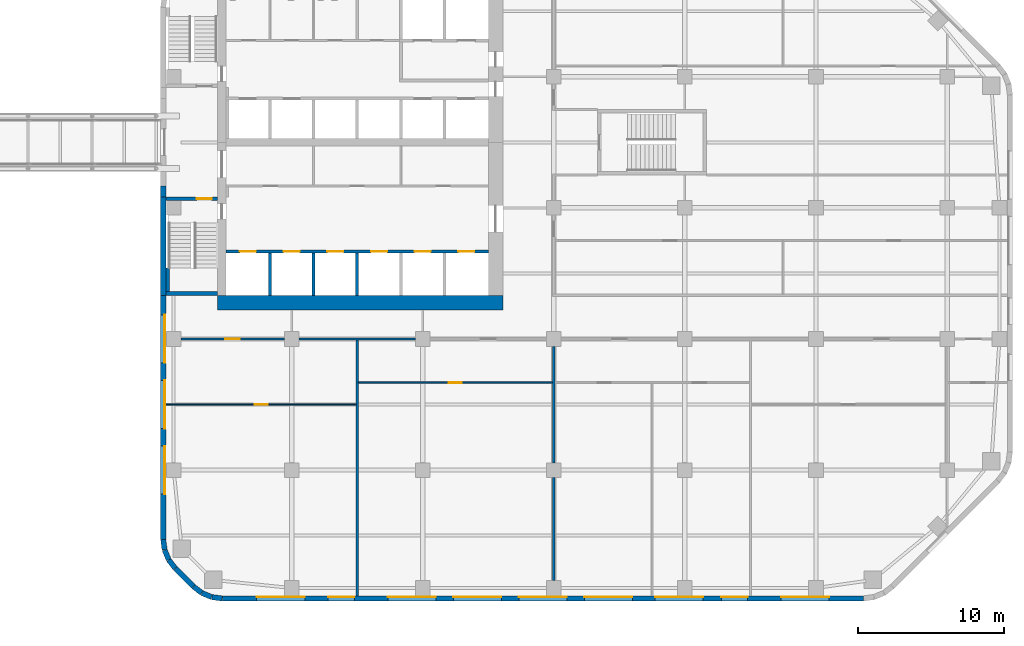
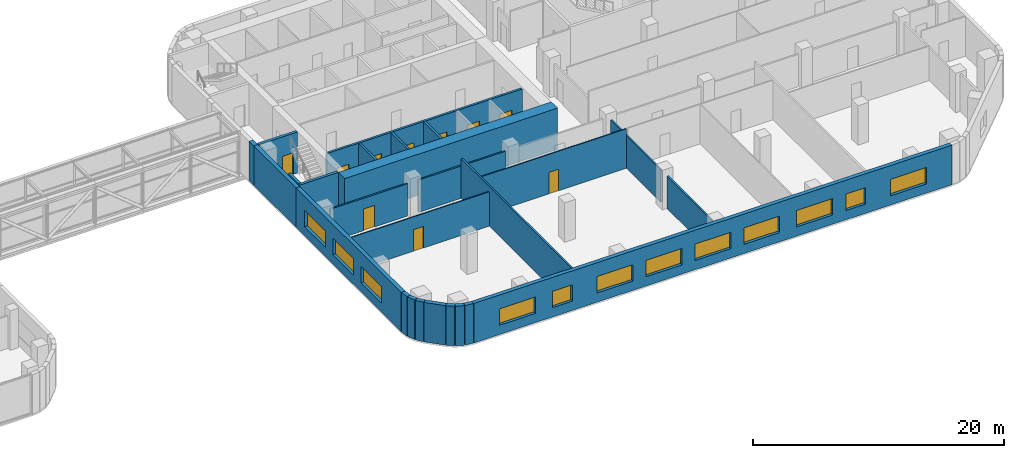
# One storey, part 17 of 24: 26 walls, 12 windows, 10 doors, 22 openings.
"""IFC4 building model written with IfcOpenShell, lengths in metres."""

from ifc_helpers import new_model, si_unit, direction, frame, frame_2d, origin, place, context, subcontext, project, spatial, rectangle, extrude, material, layer, layer_set, type_object, element, fill, save


model = new_model("IFC4")

# Units and contexts
model_context = context("Model", 3, precision=1e-05, world=origin(), true_north=direction((0.0, 1.0)))
body_context = subcontext(model_context, "Body", "Model", "MODEL_VIEW")
ifc_project = project(units=[si_unit("LENGTHUNIT", "METRE"), si_unit("AREAUNIT", "SQUARE_METRE"), si_unit("VOLUMEUNIT", "CUBIC_METRE"), si_unit("PLANEANGLEUNIT", "RADIAN"), si_unit("MASSUNIT", "GRAM", prefix="KILO")], contexts=[model_context])

# Site, building, storey
site_placement = place(None, origin())
site = spatial("IfcSite", under=ifc_project, at=site_placement, CompositionType="ELEMENT")
building_placement = place(site_placement, origin())
building = spatial("IfcBuilding", under=site, at=building_placement, Name="Cinnabar Reach Civic Tower", CompositionType="ELEMENT")
storey_placement = place(building_placement, frame((0.0, 0.0, 71.0)))
storey = spatial("IfcBuildingStorey", under=building, at=storey_placement, Name="L16", CompositionType="ELEMENT", Elevation=71.0)

# Walls
ifc_material_1 = material(Name="Facing brick with insulated backing", Category="masonry")
ifc_layer_1 = layer(ifc_material_1, 0.36)
ifc_layer_set_1 = layer_set([ifc_layer_1], Name="Brick corner wall")
wall_type_1 = type_object("IfcWallType", Name="Brick corner wall", PredefinedType="STANDARD", material=ifc_layer_set_1)
for number, where, z_axis, x_axis, name in (
    (1, (0.183, 4.2314, 0.0), (0.0, 0.0, 1.0), (0.13055608231, -0.99144092581, 0.0), "Brick corner wall"),
    (2, (0.2819, 3.5027, 0.0), (0.0, 0.0, 1.0), (0.382702709855, -0.923871547278, 0.0), "Brick corner wall"),
):
    element("IfcWall", number, at=place(storey_placement, frame(where, z_axis=z_axis, x_axis=x_axis)), inside=storey, type_object=wall_type_1, Name=name, PredefinedType="STANDARD", context=body_context, shape_type="SweptSolid", body=[
        extrude(rectangle(XDim=0.7131, YDim=0.36, at=frame_2d((0.3565, 0.0))), origin(), (0.0, 0.0, 1.0), 3.85),
    ])
for number, where, z_axis, x_axis, name in (
    (3, (0.566, 2.8245, 0.0), (0.0, 0.0, 1.0), (0.608802368033, -0.793321924995, 0.0), "Brick corner wall"),
    (4, (2.2587, 1.0002, 0.0), (0.0, 0.0, 1.0), (0.793321924995, -0.608802368033, 0.0), "Brick corner wall"),
):
    element("IfcWall", number, at=place(storey_placement, frame(where, z_axis=z_axis, x_axis=x_axis)), inside=storey, type_object=wall_type_1, Name=name, PredefinedType="STANDARD", context=body_context, shape_type="SweptSolid", body=[
        extrude(rectangle(XDim=0.7132, YDim=0.36, at=frame_2d((0.3566, 0.0))), origin(), (0.0, 0.0, 1.0), 3.85),
    ])
for number, where, z_axis, x_axis, name in (
    (5, (2.8439, 0.5548, 0.0), (0.0, 0.0, 1.0), (0.923871547278, -0.382702709855, 0.0), "Brick corner wall"),
    (6, (3.5244, 0.2761, 0.0), (0.0, 0.0, 1.0), (0.99144092581, -0.13055608231, 0.0), "Brick corner wall"),
):
    element("IfcWall", number, at=place(storey_placement, frame(where, z_axis=z_axis, x_axis=x_axis)), inside=storey, type_object=wall_type_1, Name=name, PredefinedType="STANDARD", context=body_context, shape_type="SweptSolid", body=[
        extrude(rectangle(XDim=0.7131, YDim=0.36, at=frame_2d((0.3565, 0.0))), origin(), (0.0, 0.0, 1.0), 3.85),
    ])

# Wall, openings, windows
ifc_layer_2 = layer(ifc_material_1, 0.36)
ifc_layer_set_2 = layer_set([ifc_layer_2], Name="Brick pier and spandrel wall")
wall_type_2 = type_object("IfcWallType", Name="Brick pier and spandrel wall", PredefinedType="STANDARD", material=ifc_layer_set_2)
wall_1_placement = place(storey_placement, frame((4.2426, 0.18, 0.0), z_axis=(0.0, 0.0, 1.0), x_axis=(1.0, 0.0, 0.0)))
wall_1 = element("IfcWall", 7, at=wall_1_placement, inside=storey, type_object=wall_type_2, Name="Brick facade wall", PredefinedType="STANDARD", context=body_context, shape_type="SweptSolid", body=[
    extrude(rectangle(XDim=44.0148, YDim=0.36, at=frame_2d((22.0074, 0.0))), origin(), (0.0, 0.0, 1.0), 3.85),
])
opening_1_placement = place(wall_1_placement, frame((2.3574, 0.0, 0.9)))
opening_1 = element("IfcOpeningElement", 8, at=opening_1_placement, cuts=wall_1, Name="Opening W1294", PredefinedType="OPENING", context=body_context, shape_type="SweptSolid", body=[
    extrude(rectangle(XDim=3.3, YDim=1.6, at=frame_2d((1.65, 0.8))), frame((0.0, 0.19, 0.0), z_axis=(0.0, -1.0, 0.0), x_axis=(1.0, 0.0, 0.0)), (0.0, 0.0, 1.0), 0.38),
])
opening_2_placement = place(wall_1_placement, frame((7.2574, 0.0, 0.9)))
opening_2 = element("IfcOpeningElement", 9, at=opening_2_placement, cuts=wall_1, Name="Opening W1295", PredefinedType="OPENING", context=body_context, shape_type="SweptSolid", body=[
    extrude(rectangle(XDim=1.8, YDim=1.6, at=frame_2d((0.9, 0.8))), frame((0.0, 0.19, 0.0), z_axis=(0.0, -1.0, 0.0), x_axis=(1.0, 0.0, 0.0)), (0.0, 0.0, 1.0), 0.38),
])
opening_3_placement = place(wall_1_placement, frame((11.3574, 0.0, 0.9)))
opening_3 = element("IfcOpeningElement", 10, at=opening_3_placement, cuts=wall_1, Name="Opening W1296", PredefinedType="OPENING", context=body_context, shape_type="SweptSolid", body=[
    extrude(rectangle(XDim=3.3, YDim=1.6, at=frame_2d((1.65, 0.8))), frame((0.0, 0.19, 0.0), z_axis=(0.0, -1.0, 0.0), x_axis=(1.0, 0.0, 0.0)), (0.0, 0.0, 1.0), 0.38),
])
opening_4_placement = place(wall_1_placement, frame((15.8574, 0.0, 0.9)))
opening_4 = element("IfcOpeningElement", 11, at=opening_4_placement, cuts=wall_1, Name="Opening W1297", PredefinedType="OPENING", context=body_context, shape_type="SweptSolid", body=[
    extrude(rectangle(XDim=3.3, YDim=1.6, at=frame_2d((1.65, 0.8))), frame((0.0, 0.19, 0.0), z_axis=(0.0, -1.0, 0.0), x_axis=(1.0, 0.0, 0.0)), (0.0, 0.0, 1.0), 0.38),
])
opening_5_placement = place(wall_1_placement, frame((20.3574, 0.0, 0.9)))
opening_5 = element("IfcOpeningElement", 12, at=opening_5_placement, cuts=wall_1, Name="Opening W1298", PredefinedType="OPENING", context=body_context, shape_type="SweptSolid", body=[
    extrude(rectangle(XDim=3.3, YDim=1.6, at=frame_2d((1.65, 0.8))), frame((0.0, 0.19, 0.0), z_axis=(0.0, -1.0, 0.0), x_axis=(1.0, 0.0, 0.0)), (0.0, 0.0, 1.0), 0.38),
])
opening_6_placement = place(wall_1_placement, frame((24.8574, 0.0, 0.9)))
opening_6 = element("IfcOpeningElement", 13, at=opening_6_placement, cuts=wall_1, Name="Opening W1299", PredefinedType="OPENING", context=body_context, shape_type="SweptSolid", body=[
    extrude(rectangle(XDim=3.3, YDim=1.6, at=frame_2d((1.65, 0.8))), frame((0.0, 0.19, 0.0), z_axis=(0.0, -1.0, 0.0), x_axis=(1.0, 0.0, 0.0)), (0.0, 0.0, 1.0), 0.38),
])
opening_7_placement = place(wall_1_placement, frame((29.7074, 0.0, 0.9)))
opening_7 = element("IfcOpeningElement", 14, at=opening_7_placement, cuts=wall_1, Name="Opening W1300", PredefinedType="OPENING", context=body_context, shape_type="SweptSolid", body=[
    extrude(rectangle(XDim=3.3, YDim=1.6, at=frame_2d((1.65, 0.8))), frame((0.0, 0.19, 0.0), z_axis=(0.0, -1.0, 0.0), x_axis=(1.0, 0.0, 0.0)), (0.0, 0.0, 1.0), 0.38),
])
opening_8_placement = place(wall_1_placement, frame((34.2574, 0.0, 0.9)))
opening_8 = element("IfcOpeningElement", 15, at=opening_8_placement, cuts=wall_1, Name="Opening W1301", PredefinedType="OPENING", context=body_context, shape_type="SweptSolid", body=[
    extrude(rectangle(XDim=1.8, YDim=1.6, at=frame_2d((0.9, 0.8))), frame((0.0, 0.19, 0.0), z_axis=(0.0, -1.0, 0.0), x_axis=(1.0, 0.0, 0.0)), (0.0, 0.0, 1.0), 0.38),
])
opening_9_placement = place(wall_1_placement, frame((38.3574, 0.0, 0.9)))
opening_9 = element("IfcOpeningElement", 16, at=opening_9_placement, cuts=wall_1, Name="Opening W1302", PredefinedType="OPENING", context=body_context, shape_type="SweptSolid", body=[
    extrude(rectangle(XDim=3.3, YDim=1.6, at=frame_2d((1.65, 0.8))), frame((0.0, 0.19, 0.0), z_axis=(0.0, -1.0, 0.0), x_axis=(1.0, 0.0, 0.0)), (0.0, 0.0, 1.0), 0.38),
])
ifc_material_2 = material(Name="Clear double glazing in aluminium frame", Category="aluminium")
window_type_1 = type_object("IfcWindowType", Name="Deep-set window A", PartitioningType="SINGLE_PANEL", PredefinedType="WINDOW", material=ifc_material_2)
window_1_placement = place(opening_1_placement, origin())
window_1 = element("IfcWindow", 17, at=window_1_placement, inside=storey, type_object=window_type_1, Name="Window south face", OverallHeight=1.6, OverallWidth=3.3, PartitioningType="SINGLE_PANEL", PredefinedType="WINDOW", context=body_context, shape_type="SweptSolid", body=[
    extrude(rectangle(XDim=3.3, YDim=1.6, at=frame_2d((1.65, 0.8))), frame((0.0, 0.13, 0.0), z_axis=(0.0, -1.0, 0.0), x_axis=(1.0, 0.0, 0.0)), (0.0, 0.0, 1.0), 0.06),
])
fill(opening_1, window_1)
window_2_placement = place(opening_3_placement, origin())
window_2 = element("IfcWindow", 18, at=window_2_placement, inside=storey, type_object=window_type_1, Name="Window south face", OverallHeight=1.6, OverallWidth=3.3, PartitioningType="SINGLE_PANEL", PredefinedType="WINDOW", context=body_context, shape_type="SweptSolid", body=[
    extrude(rectangle(XDim=3.3, YDim=1.6, at=frame_2d((1.65, 0.8))), frame((0.0, 0.13, 0.0), z_axis=(0.0, -1.0, 0.0), x_axis=(1.0, 0.0, 0.0)), (0.0, 0.0, 1.0), 0.06),
])
fill(opening_3, window_2)
window_3_placement = place(opening_4_placement, origin())
window_3 = element("IfcWindow", 19, at=window_3_placement, inside=storey, type_object=window_type_1, Name="Window south face", OverallHeight=1.6, OverallWidth=3.3, PartitioningType="SINGLE_PANEL", PredefinedType="WINDOW", context=body_context, shape_type="SweptSolid", body=[
    extrude(rectangle(XDim=3.3, YDim=1.6, at=frame_2d((1.65, 0.8))), frame((0.0, 0.13, 0.0), z_axis=(0.0, -1.0, 0.0), x_axis=(1.0, 0.0, 0.0)), (0.0, 0.0, 1.0), 0.06),
])
fill(opening_4, window_3)
window_4_placement = place(opening_5_placement, origin())
window_4 = element("IfcWindow", 20, at=window_4_placement, inside=storey, type_object=window_type_1, Name="Window south face", OverallHeight=1.6, OverallWidth=3.3, PartitioningType="SINGLE_PANEL", PredefinedType="WINDOW", context=body_context, shape_type="SweptSolid", body=[
    extrude(rectangle(XDim=3.3, YDim=1.6, at=frame_2d((1.65, 0.8))), frame((0.0, 0.13, 0.0), z_axis=(0.0, -1.0, 0.0), x_axis=(1.0, 0.0, 0.0)), (0.0, 0.0, 1.0), 0.06),
])
fill(opening_5, window_4)
window_5_placement = place(opening_6_placement, origin())
window_5 = element("IfcWindow", 21, at=window_5_placement, inside=storey, type_object=window_type_1, Name="Window south face", OverallHeight=1.6, OverallWidth=3.3, PartitioningType="SINGLE_PANEL", PredefinedType="WINDOW", context=body_context, shape_type="SweptSolid", body=[
    extrude(rectangle(XDim=3.3, YDim=1.6, at=frame_2d((1.65, 0.8))), frame((0.0, 0.13, 0.0), z_axis=(0.0, -1.0, 0.0), x_axis=(1.0, 0.0, 0.0)), (0.0, 0.0, 1.0), 0.06),
])
fill(opening_6, window_5)
window_6_placement = place(opening_7_placement, origin())
window_6 = element("IfcWindow", 22, at=window_6_placement, inside=storey, type_object=window_type_1, Name="Window south face", OverallHeight=1.6, OverallWidth=3.3, PartitioningType="SINGLE_PANEL", PredefinedType="WINDOW", context=body_context, shape_type="SweptSolid", body=[
    extrude(rectangle(XDim=3.3, YDim=1.6, at=frame_2d((1.65, 0.8))), frame((0.0, 0.13, 0.0), z_axis=(0.0, -1.0, 0.0), x_axis=(1.0, 0.0, 0.0)), (0.0, 0.0, 1.0), 0.06),
])
fill(opening_7, window_6)
window_7_placement = place(opening_9_placement, origin())
window_7 = element("IfcWindow", 23, at=window_7_placement, inside=storey, type_object=window_type_1, Name="Window south face", OverallHeight=1.6, OverallWidth=3.3, PartitioningType="SINGLE_PANEL", PredefinedType="WINDOW", context=body_context, shape_type="SweptSolid", body=[
    extrude(rectangle(XDim=3.3, YDim=1.6, at=frame_2d((1.65, 0.8))), frame((0.0, 0.13, 0.0), z_axis=(0.0, -1.0, 0.0), x_axis=(1.0, 0.0, 0.0)), (0.0, 0.0, 1.0), 0.06),
])
fill(opening_9, window_7)
window_type_2 = type_object("IfcWindowType", Name="Deep-set window D", PartitioningType="SINGLE_PANEL", PredefinedType="WINDOW", material=ifc_material_2)
window_8_placement = place(opening_2_placement, origin())
window_8 = element("IfcWindow", 24, at=window_8_placement, inside=storey, type_object=window_type_2, Name="Window south face", OverallHeight=1.6, OverallWidth=1.8, PartitioningType="SINGLE_PANEL", PredefinedType="WINDOW", context=body_context, shape_type="SweptSolid", body=[
    extrude(rectangle(XDim=1.8, YDim=1.6, at=frame_2d((0.9, 0.8))), frame((0.0, 0.13, 0.0), z_axis=(0.0, -1.0, 0.0), x_axis=(1.0, 0.0, 0.0)), (0.0, 0.0, 1.0), 0.06),
])
fill(opening_2, window_8)
window_9_placement = place(opening_8_placement, origin())
window_9 = element("IfcWindow", 25, at=window_9_placement, inside=storey, type_object=window_type_2, Name="Window south face", OverallHeight=1.6, OverallWidth=1.8, PartitioningType="SINGLE_PANEL", PredefinedType="WINDOW", context=body_context, shape_type="SweptSolid", body=[
    extrude(rectangle(XDim=1.8, YDim=1.6, at=frame_2d((0.9, 0.8))), frame((0.0, 0.13, 0.0), z_axis=(0.0, -1.0, 0.0), x_axis=(1.0, 0.0, 0.0)), (0.0, 0.0, 1.0), 0.06),
])
fill(opening_8, window_9)

# Walls
wall_2_placement = place(storey_placement, frame((0.18, 28.5, 0.0), z_axis=(0.0, 0.0, 1.0), x_axis=(0.0, -1.0, 0.0)))
element("IfcWall", 26, at=wall_2_placement, inside=storey, type_object=wall_type_2, Name="Brick facade wall", PredefinedType="STANDARD", context=body_context, shape_type="SweptSolid", body=[
    extrude(rectangle(XDim=0.75, YDim=0.36, at=frame_2d((0.375, 0.0))), origin(), (0.0, 0.0, 1.0), 3.85),
])
wall_3_placement = place(storey_placement, frame((0.18, 27.75, 0.0), z_axis=(0.0, 0.0, 1.0), x_axis=(0.0, -1.0, 0.0)))
element("IfcWall", 27, at=wall_3_placement, inside=storey, type_object=wall_type_2, Name="Brick facade wall", PredefinedType="STANDARD", context=body_context, shape_type="SweptSolid", body=[
    extrude(rectangle(XDim=6.75, YDim=0.36, at=frame_2d((3.375, 0.0))), origin(), (0.0, 0.0, 1.0), 3.85),
])

# Wall, openings, windows
wall_4_placement = place(storey_placement, frame((0.18, 21.0, 0.0), z_axis=(0.0, 0.0, 1.0), x_axis=(0.0, -1.0, 0.0)))
wall_4 = element("IfcWall", 28, at=wall_4_placement, inside=storey, type_object=wall_type_2, Name="Brick facade wall", PredefinedType="STANDARD", context=body_context, shape_type="SweptSolid", body=[
    extrude(rectangle(XDim=16.7574, YDim=0.36, at=frame_2d((8.3787, 0.0))), origin(), (0.0, 0.0, 1.0), 3.85),
])
opening_10_placement = place(wall_4_placement, frame((1.35, 0.0, 0.9)))
opening_10 = element("IfcOpeningElement", 29, at=opening_10_placement, cuts=wall_4, Name="Opening W1318", PredefinedType="OPENING", context=body_context, shape_type="SweptSolid", body=[
    extrude(rectangle(XDim=3.3, YDim=1.6, at=frame_2d((1.65, 0.8))), frame((0.0, 0.19, 0.0), z_axis=(0.0, -1.0, 0.0), x_axis=(1.0, 0.0, 0.0)), (0.0, 0.0, 1.0), 0.38),
])
opening_11_placement = place(wall_4_placement, frame((5.85, 0.0, 0.9)))
opening_11 = element("IfcOpeningElement", 30, at=opening_11_placement, cuts=wall_4, Name="Opening W1319", PredefinedType="OPENING", context=body_context, shape_type="SweptSolid", body=[
    extrude(rectangle(XDim=3.3, YDim=1.6, at=frame_2d((1.65, 0.8))), frame((0.0, 0.19, 0.0), z_axis=(0.0, -1.0, 0.0), x_axis=(1.0, 0.0, 0.0)), (0.0, 0.0, 1.0), 0.38),
])
opening_12_placement = place(wall_4_placement, frame((10.35, 0.0, 0.9)))
opening_12 = element("IfcOpeningElement", 31, at=opening_12_placement, cuts=wall_4, Name="Opening W1320", PredefinedType="OPENING", context=body_context, shape_type="SweptSolid", body=[
    extrude(rectangle(XDim=3.3, YDim=1.6, at=frame_2d((1.65, 0.8))), frame((0.0, 0.19, 0.0), z_axis=(0.0, -1.0, 0.0), x_axis=(1.0, 0.0, 0.0)), (0.0, 0.0, 1.0), 0.38),
])
window_10_placement = place(opening_10_placement, origin())
window_10 = element("IfcWindow", 32, at=window_10_placement, inside=storey, type_object=window_type_1, Name="Window west face", OverallHeight=1.6, OverallWidth=3.3, PartitioningType="SINGLE_PANEL", PredefinedType="WINDOW", context=body_context, shape_type="SweptSolid", body=[
    extrude(rectangle(XDim=3.3, YDim=1.6, at=frame_2d((1.65, 0.8))), frame((0.0, 0.13, 0.0), z_axis=(0.0, -1.0, 0.0), x_axis=(1.0, 0.0, 0.0)), (0.0, 0.0, 1.0), 0.06),
])
fill(opening_10, window_10)
window_11_placement = place(opening_11_placement, origin())
window_11 = element("IfcWindow", 33, at=window_11_placement, inside=storey, type_object=window_type_1, Name="Window west face", OverallHeight=1.6, OverallWidth=3.3, PartitioningType="SINGLE_PANEL", PredefinedType="WINDOW", context=body_context, shape_type="SweptSolid", body=[
    extrude(rectangle(XDim=3.3, YDim=1.6, at=frame_2d((1.65, 0.8))), frame((0.0, 0.13, 0.0), z_axis=(0.0, -1.0, 0.0), x_axis=(1.0, 0.0, 0.0)), (0.0, 0.0, 1.0), 0.06),
])
fill(opening_11, window_11)
window_12_placement = place(opening_12_placement, origin())
window_12 = element("IfcWindow", 34, at=window_12_placement, inside=storey, type_object=window_type_1, Name="Window west face", OverallHeight=1.6, OverallWidth=3.3, PartitioningType="SINGLE_PANEL", PredefinedType="WINDOW", context=body_context, shape_type="SweptSolid", body=[
    extrude(rectangle(XDim=3.3, YDim=1.6, at=frame_2d((1.65, 0.8))), frame((0.0, 0.13, 0.0), z_axis=(0.0, -1.0, 0.0), x_axis=(1.0, 0.0, 0.0)), (0.0, 0.0, 1.0), 0.06),
])
fill(opening_12, window_12)

# Walls
wall_5_placement = place(storey_placement, frame((1.006, 2.2486, 0.0), z_axis=(0.0, 0.0, 1.0), x_axis=(0.707106781187, -0.707106781187, 0.0)))
element("IfcWall", 35, at=wall_5_placement, inside=storey, type_object=wall_type_2, Name="Brick facade wall", PredefinedType="STANDARD", context=body_context, shape_type="SweptSolid", body=[
    extrude(rectangle(XDim=1.7573, YDim=0.36, at=frame_2d((0.8787, 0.0))), origin(), (0.0, 0.0, 1.0), 3.85),
])
ifc_material_3 = material(Name="Concrete C70", Category="concrete")
ifc_layer_3 = layer(ifc_material_3, 1.0)
ifc_layer_set_3 = layer_set([ifc_layer_3], Name="Core wall 1000 EI 180")
wall_type_3 = type_object("IfcWallType", Name="Core wall 1000 EI 180", PredefinedType="SOLIDWALL", material=ifc_layer_set_3)
wall_6_placement = place(storey_placement, frame((3.9, 20.5, 0.0), z_axis=(0.0, 0.0, 1.0), x_axis=(1.0, 0.0, 0.0)))
element("IfcWall", 36, at=wall_6_placement, inside=storey, type_object=wall_type_3, Name="Core wall T1 L16 S", PredefinedType="SOLIDWALL", context=body_context, shape_type="SweptSolid", body=[
    extrude(rectangle(XDim=19.6, YDim=1.0, at=frame_2d((9.8, 0.0))), origin(), (0.0, 0.0, 1.0), 4.0),
])
ifc_material_4 = material(Name="Gypsum board on steel studs, double layer", Category="steel")
ifc_layer_4 = layer(ifc_material_4, 0.15)
ifc_layer_set_4 = layer_set([ifc_layer_4], Name="Corridor wall 150 T1")
wall_type_4 = type_object("IfcWallType", Name="Corridor wall 150 T1", PredefinedType="PARTITIONING", material=ifc_layer_set_4)
wall_7_placement = place(storey_placement, frame((9.5, 18.0, 0.0), z_axis=(0.0, 0.0, 1.0), x_axis=(1.0, 0.0, 0.0)))
element("IfcWall", 37, at=wall_7_placement, inside=storey, type_object=wall_type_4, Name="Corridor wall 24", PredefinedType="PARTITIONING", context=body_context, shape_type="SweptSolid", body=[
    extrude(rectangle(XDim=8.0, YDim=0.15, at=frame_2d((4.0, 0.0))), origin(), (0.0, 0.0, 1.0), 3.15),
])

# Wall, opening, door
wall_8_placement = place(storey_placement, frame((1.4, 18.0, 0.0), z_axis=(0.0, 0.0, 1.0), x_axis=(1.0, 0.0, 0.0)))
wall_8 = element("IfcWall", 38, at=wall_8_placement, inside=storey, type_object=wall_type_4, Name="Corridor wall 25", PredefinedType="PARTITIONING", context=body_context, shape_type="SweptSolid", body=[
    extrude(rectangle(XDim=7.1, YDim=0.15, at=frame_2d((3.55, 0.0))), origin(), (0.0, 0.0, 1.0), 3.15),
])
opening_13_placement = place(wall_8_placement, frame((3.05, 0.0, 0.0)))
opening_13 = element("IfcOpeningElement", 39, at=opening_13_placement, cuts=wall_8, Name="Opening D3664", PredefinedType="OPENING", context=body_context, shape_type="SweptSolid", body=[
    extrude(rectangle(XDim=1.0, YDim=2.1, at=frame_2d((0.5, 1.05))), frame((0.0, 0.085, 0.0), z_axis=(0.0, -1.0, 0.0), x_axis=(1.0, 0.0, 0.0)), (0.0, 0.0, 1.0), 0.17),
])
ifc_material_5 = material(Name="Timber door leaf in steel frame", Category="steel")
door_type_1 = type_object("IfcDoorType", Name="Tenancy entrance door 1000 x 2100 T1", OperationType="SINGLE_SWING_LEFT", PredefinedType="DOOR", material=ifc_material_5)
door_1_placement = place(opening_13_placement, frame((1.0, 0.0, 0.0), z_axis=(0.0, 0.0, 1.0), x_axis=(-1.0, 0.0, 0.0)))
door_1 = element("IfcDoor", 40, at=door_1_placement, inside=storey, type_object=door_type_1, Name="Door D3664", OperationType="SINGLE_SWING_RIGHT", OverallHeight=2.1, OverallWidth=1.0, PredefinedType="DOOR", context=body_context, shape_type="SweptSolid", body=[
    extrude(rectangle(XDim=1.0, YDim=2.1, at=frame_2d((0.5, 1.05))), frame((0.0, 0.025, 0.0), z_axis=(0.0, -1.0, 0.0), x_axis=(1.0, 0.0, 0.0)), (0.0, 0.0, 1.0), 0.05),
])
fill(opening_13, door_1)

# Wall, openings, doors
ifc_material_6 = material(Name="Blockwork", Category="masonry")
ifc_layer_5 = layer(ifc_material_6, 0.2)
ifc_layer_set_5 = layer_set([ifc_layer_5], Name="Lift shaft wall 200 T1")
wall_type_5 = type_object("IfcWallType", Name="Lift shaft wall 200 T1", PredefinedType="PARTITIONING", material=ifc_layer_set_5)
wall_9_placement = place(storey_placement, frame((4.5, 24.0, 0.0), z_axis=(0.0, 0.0, 1.0), x_axis=(1.0, 0.0, 0.0)))
wall_9 = element("IfcWall", 41, at=wall_9_placement, inside=storey, type_object=wall_type_5, Name="Lift shaft wall 4", PredefinedType="PARTITIONING", context=body_context, shape_type="SweptSolid", body=[
    extrude(rectangle(XDim=18.0, YDim=0.2, at=frame_2d((9.0, 0.0))), origin(), (0.0, 0.0, 1.0), 3.85),
])
opening_14_placement = place(wall_9_placement, frame((0.95, 0.0, 0.0)))
opening_14 = element("IfcOpeningElement", 42, at=opening_14_placement, cuts=wall_9, Name="Opening D3636", PredefinedType="OPENING", context=body_context, shape_type="SweptSolid", body=[
    extrude(rectangle(XDim=1.1, YDim=2.1, at=frame_2d((0.55, 1.05))), frame((0.0, 0.11, 0.0), z_axis=(0.0, -1.0, 0.0), x_axis=(1.0, 0.0, 0.0)), (0.0, 0.0, 1.0), 0.22),
])
opening_15_placement = place(wall_9_placement, frame((3.95, 0.0, 0.0)))
opening_15 = element("IfcOpeningElement", 43, at=opening_15_placement, cuts=wall_9, Name="Opening D3637", PredefinedType="OPENING", context=body_context, shape_type="SweptSolid", body=[
    extrude(rectangle(XDim=1.1, YDim=2.1, at=frame_2d((0.55, 1.05))), frame((0.0, 0.11, 0.0), z_axis=(0.0, -1.0, 0.0), x_axis=(1.0, 0.0, 0.0)), (0.0, 0.0, 1.0), 0.22),
])
opening_16_placement = place(wall_9_placement, frame((6.95, 0.0, 0.0)))
opening_16 = element("IfcOpeningElement", 44, at=opening_16_placement, cuts=wall_9, Name="Opening D3638", PredefinedType="OPENING", context=body_context, shape_type="SweptSolid", body=[
    extrude(rectangle(XDim=1.1, YDim=2.1, at=frame_2d((0.55, 1.05))), frame((0.0, 0.11, 0.0), z_axis=(0.0, -1.0, 0.0), x_axis=(1.0, 0.0, 0.0)), (0.0, 0.0, 1.0), 0.22),
])
opening_17_placement = place(wall_9_placement, frame((9.95, 0.0, 0.0)))
opening_17 = element("IfcOpeningElement", 45, at=opening_17_placement, cuts=wall_9, Name="Opening D3639", PredefinedType="OPENING", context=body_context, shape_type="SweptSolid", body=[
    extrude(rectangle(XDim=1.1, YDim=2.1, at=frame_2d((0.55, 1.05))), frame((0.0, 0.11, 0.0), z_axis=(0.0, -1.0, 0.0), x_axis=(1.0, 0.0, 0.0)), (0.0, 0.0, 1.0), 0.22),
])
opening_18_placement = place(wall_9_placement, frame((12.95, 0.0, 0.0)))
opening_18 = element("IfcOpeningElement", 46, at=opening_18_placement, cuts=wall_9, Name="Opening D3640", PredefinedType="OPENING", context=body_context, shape_type="SweptSolid", body=[
    extrude(rectangle(XDim=1.1, YDim=2.1, at=frame_2d((0.55, 1.05))), frame((0.0, 0.11, 0.0), z_axis=(0.0, -1.0, 0.0), x_axis=(1.0, 0.0, 0.0)), (0.0, 0.0, 1.0), 0.22),
])
opening_19_placement = place(wall_9_placement, frame((15.95, 0.0, 0.0)))
opening_19 = element("IfcOpeningElement", 47, at=opening_19_placement, cuts=wall_9, Name="Opening D3641", PredefinedType="OPENING", context=body_context, shape_type="SweptSolid", body=[
    extrude(rectangle(XDim=1.1, YDim=2.1, at=frame_2d((0.55, 1.05))), frame((0.0, 0.11, 0.0), z_axis=(0.0, -1.0, 0.0), x_axis=(1.0, 0.0, 0.0)), (0.0, 0.0, 1.0), 0.22),
])
ifc_material_7 = material(Name="Stainless steel sliding door", Category="steel")
door_type_2 = type_object("IfcDoorType", Name="Lift landing door 1100 x 2100 T1", OperationType="SLIDING_TO_LEFT", PredefinedType="DOOR", material=ifc_material_7)
door_2_placement = place(opening_14_placement, origin())
door_2 = element("IfcDoor", 48, at=door_2_placement, inside=storey, type_object=door_type_2, Name="Lift landing door LR1 L16", OperationType="SLIDING_TO_LEFT", OverallHeight=2.1, OverallWidth=1.1, PredefinedType="DOOR", context=body_context, shape_type="SweptSolid", body=[
    extrude(rectangle(XDim=1.1, YDim=2.1, at=frame_2d((0.55, 1.05))), frame((0.0, 0.025, 0.0), z_axis=(0.0, -1.0, 0.0), x_axis=(1.0, 0.0, 0.0)), (0.0, 0.0, 1.0), 0.05),
])
fill(opening_14, door_2)
door_3_placement = place(opening_15_placement, origin())
door_3 = element("IfcDoor", 49, at=door_3_placement, inside=storey, type_object=door_type_2, Name="Lift landing door LR2 L16", OperationType="SLIDING_TO_LEFT", OverallHeight=2.1, OverallWidth=1.1, PredefinedType="DOOR", context=body_context, shape_type="SweptSolid", body=[
    extrude(rectangle(XDim=1.1, YDim=2.1, at=frame_2d((0.55, 1.05))), frame((0.0, 0.025, 0.0), z_axis=(0.0, -1.0, 0.0), x_axis=(1.0, 0.0, 0.0)), (0.0, 0.0, 1.0), 0.05),
])
fill(opening_15, door_3)
door_4_placement = place(opening_16_placement, origin())
door_4 = element("IfcDoor", 50, at=door_4_placement, inside=storey, type_object=door_type_2, Name="Lift landing door LR3 L16", OperationType="SLIDING_TO_LEFT", OverallHeight=2.1, OverallWidth=1.1, PredefinedType="DOOR", context=body_context, shape_type="SweptSolid", body=[
    extrude(rectangle(XDim=1.1, YDim=2.1, at=frame_2d((0.55, 1.05))), frame((0.0, 0.025, 0.0), z_axis=(0.0, -1.0, 0.0), x_axis=(1.0, 0.0, 0.0)), (0.0, 0.0, 1.0), 0.05),
])
fill(opening_16, door_4)
door_5_placement = place(opening_17_placement, origin())
door_5 = element("IfcDoor", 51, at=door_5_placement, inside=storey, type_object=door_type_2, Name="Lift landing door LR4 L16", OperationType="SLIDING_TO_LEFT", OverallHeight=2.1, OverallWidth=1.1, PredefinedType="DOOR", context=body_context, shape_type="SweptSolid", body=[
    extrude(rectangle(XDim=1.1, YDim=2.1, at=frame_2d((0.55, 1.05))), frame((0.0, 0.025, 0.0), z_axis=(0.0, -1.0, 0.0), x_axis=(1.0, 0.0, 0.0)), (0.0, 0.0, 1.0), 0.05),
])
fill(opening_17, door_5)
door_6_placement = place(opening_18_placement, origin())
door_6 = element("IfcDoor", 52, at=door_6_placement, inside=storey, type_object=door_type_2, Name="Lift landing door LR5 L16", OperationType="SLIDING_TO_LEFT", OverallHeight=2.1, OverallWidth=1.1, PredefinedType="DOOR", context=body_context, shape_type="SweptSolid", body=[
    extrude(rectangle(XDim=1.1, YDim=2.1, at=frame_2d((0.55, 1.05))), frame((0.0, 0.025, 0.0), z_axis=(0.0, -1.0, 0.0), x_axis=(1.0, 0.0, 0.0)), (0.0, 0.0, 1.0), 0.05),
])
fill(opening_18, door_6)
door_7_placement = place(opening_19_placement, origin())
door_7 = element("IfcDoor", 53, at=door_7_placement, inside=storey, type_object=door_type_2, Name="Lift landing door LR6 L16", OperationType="SLIDING_TO_LEFT", OverallHeight=2.1, OverallWidth=1.1, PredefinedType="DOOR", context=body_context, shape_type="SweptSolid", body=[
    extrude(rectangle(XDim=1.1, YDim=2.1, at=frame_2d((0.55, 1.05))), frame((0.0, 0.025, 0.0), z_axis=(0.0, -1.0, 0.0), x_axis=(1.0, 0.0, 0.0)), (0.0, 0.0, 1.0), 0.05),
])
fill(opening_19, door_7)

# Walls
for number, where, z_axis, x_axis, name in (
    (54, (7.5, 21.0, 0.0), (0.0, 0.0, 1.0), (0.0, 1.0, 0.0), "Lift shaft wall 9"),
    (55, (10.5, 21.0, 0.0), (0.0, 0.0, 1.0), (0.0, 1.0, 0.0), "Lift shaft wall 11"),
    (56, (13.5, 21.0, 0.0), (0.0, 0.0, 1.0), (0.0, 1.0, 0.0), "Lift shaft wall 13"),
):
    element("IfcWall", number, at=place(storey_placement, frame(where, z_axis=z_axis, x_axis=x_axis)), inside=storey, type_object=wall_type_5, Name=name, PredefinedType="PARTITIONING", context=body_context, shape_type="SweptSolid", body=[
        extrude(rectangle(XDim=2.9, YDim=0.2, at=frame_2d((1.45, 0.0))), origin(), (0.0, 0.0, 1.0), 3.85),
    ])

# Wall, opening, door
ifc_material_8 = material(Name="Gypsum board on steel studs", Category="steel")
ifc_layer_6 = layer(ifc_material_8, 0.1)
ifc_layer_set_6 = layer_set([ifc_layer_6], Name="Partition wall 100 T1")
wall_type_6 = type_object("IfcWallType", Name="Partition wall 100 T1", PredefinedType="PARTITIONING", material=ifc_layer_set_6)
wall_10_placement = place(storey_placement, frame((13.575, 15.0, 0.0), z_axis=(0.0, 0.0, 1.0), x_axis=(1.0, 0.0, 0.0)))
wall_10 = element("IfcWall", 57, at=wall_10_placement, inside=storey, type_object=wall_type_6, Name="Partition wall 49", PredefinedType="PARTITIONING", context=body_context, shape_type="SweptSolid", body=[
    extrude(rectangle(XDim=13.35, YDim=0.1, at=frame_2d((6.675, 0.0))), origin(), (0.0, 0.0, 1.0), 3.85),
])
opening_20_placement = place(wall_10_placement, frame((6.2, 0.0, 0.0)))
opening_20 = element("IfcOpeningElement", 58, at=opening_20_placement, cuts=wall_10, Name="Opening D3667", PredefinedType="OPENING", context=body_context, shape_type="SweptSolid", body=[
    extrude(rectangle(XDim=0.9, YDim=2.1, at=frame_2d((0.45, 1.05))), frame((0.0, 0.06, 0.0), z_axis=(0.0, -1.0, 0.0), x_axis=(1.0, 0.0, 0.0)), (0.0, 0.0, 1.0), 0.12),
])
door_type_3 = type_object("IfcDoorType", Name="Single swing door 900 x 2100 T1", OperationType="SINGLE_SWING_LEFT", PredefinedType="DOOR", material=ifc_material_5)
door_8_placement = place(opening_20_placement, origin())
door_8 = element("IfcDoor", 59, at=door_8_placement, inside=storey, type_object=door_type_3, Name="Door D3667", OperationType="SINGLE_SWING_LEFT", OverallHeight=2.1, OverallWidth=0.9, PredefinedType="DOOR", context=body_context, shape_type="SweptSolid", body=[
    extrude(rectangle(XDim=0.9, YDim=2.1, at=frame_2d((0.45, 1.05))), frame((0.0, 0.025, 0.0), z_axis=(0.0, -1.0, 0.0), x_axis=(1.0, 0.0, 0.0)), (0.0, 0.0, 1.0), 0.05),
])
fill(opening_20, door_8)

wall_11_placement = place(storey_placement, frame((0.36, 13.5, 0.0), z_axis=(0.0, 0.0, 1.0), x_axis=(1.0, 0.0, 0.0)))
wall_11 = element("IfcWall", 60, at=wall_11_placement, inside=storey, type_object=wall_type_6, Name="Partition wall 53", PredefinedType="PARTITIONING", context=body_context, shape_type="SweptSolid", body=[
    extrude(rectangle(XDim=13.065, YDim=0.1, at=frame_2d((6.5325, 0.0))), origin(), (0.0, 0.0, 1.0), 3.35),
])
opening_21_placement = place(wall_11_placement, frame((6.1, 0.0, 0.0)))
opening_21 = element("IfcOpeningElement", 61, at=opening_21_placement, cuts=wall_11, Name="Opening D3665", PredefinedType="OPENING", context=body_context, shape_type="SweptSolid", body=[
    extrude(rectangle(XDim=0.9, YDim=2.1, at=frame_2d((0.45, 1.05))), frame((0.0, 0.06, 0.0), z_axis=(0.0, -1.0, 0.0), x_axis=(1.0, 0.0, 0.0)), (0.0, 0.0, 1.0), 0.12),
])
door_9_placement = place(opening_21_placement, origin())
door_9 = element("IfcDoor", 62, at=door_9_placement, inside=storey, type_object=door_type_3, Name="Door D3665", OperationType="SINGLE_SWING_RIGHT", OverallHeight=2.1, OverallWidth=0.9, PredefinedType="DOOR", context=body_context, shape_type="SweptSolid", body=[
    extrude(rectangle(XDim=0.9, YDim=2.1, at=frame_2d((0.45, 1.05))), frame((0.0, 0.025, 0.0), z_axis=(0.0, -1.0, 0.0), x_axis=(1.0, 0.0, 0.0)), (0.0, 0.0, 1.0), 0.05),
])
fill(opening_21, door_9)

# Wall
ifc_material_9 = material(Name="Concrete C60", Category="concrete")
ifc_layer_7 = layer(ifc_material_9, 0.25)
ifc_layer_set_7 = layer_set([ifc_layer_7], Name="Stair shaft wall 250 EI 120")
wall_type_7 = type_object("IfcWallType", Name="Stair shaft wall 250 EI 120", PredefinedType="SOLIDWALL", material=ifc_layer_set_7)
wall_12_placement = place(storey_placement, frame((0.36, 21.125, 0.0), z_axis=(0.0, 0.0, 1.0), x_axis=(1.0, 0.0, 0.0)))
element("IfcWall", 63, at=wall_12_placement, inside=storey, type_object=wall_type_7, Name="Stair shaft wall T1-S1 L16", PredefinedType="SOLIDWALL", context=body_context, shape_type="SweptSolid", body=[
    extrude(rectangle(XDim=3.54, YDim=0.25, at=frame_2d((1.77, 0.0))), origin(), (0.0, 0.0, 1.0), 4.0),
])

# Wall, opening, door
wall_13_placement = place(storey_placement, frame((3.9, 27.625, 0.0), z_axis=(0.0, 0.0, 1.0), x_axis=(-1.0, 0.0, 0.0)))
wall_13 = element("IfcWall", 64, at=wall_13_placement, inside=storey, type_object=wall_type_7, Name="Stair shaft wall T1-S1 L16", PredefinedType="SOLIDWALL", context=body_context, shape_type="SweptSolid", body=[
    extrude(rectangle(XDim=3.54, YDim=0.25, at=frame_2d((1.77, 0.0))), origin(), (0.0, 0.0, 1.0), 4.0),
])
opening_22_placement = place(wall_13_placement, frame((0.4, 0.0, 0.0)))
opening_22 = element("IfcOpeningElement", 65, at=opening_22_placement, cuts=wall_13, Name="Opening D3631", PredefinedType="OPENING", context=body_context, shape_type="SweptSolid", body=[
    extrude(rectangle(XDim=1.0, YDim=2.1, at=frame_2d((0.5, 1.05))), frame((0.0, 0.135, 0.0), z_axis=(0.0, -1.0, 0.0), x_axis=(1.0, 0.0, 0.0)), (0.0, 0.0, 1.0), 0.27),
])
door_type_4 = type_object("IfcDoorType", Name="Stair door 1000 x 2100 T1", OperationType="SINGLE_SWING_LEFT", PredefinedType="DOOR", material=ifc_material_5)
door_10_placement = place(opening_22_placement, origin())
door_10 = element("IfcDoor", 66, at=door_10_placement, inside=storey, type_object=door_type_4, Name="Door D3631", OperationType="SINGLE_SWING_LEFT", OverallHeight=2.1, OverallWidth=1.0, PredefinedType="DOOR", context=body_context, shape_type="SweptSolid", body=[
    extrude(rectangle(XDim=1.0, YDim=2.1, at=frame_2d((0.5, 1.05))), frame((0.0, 0.025, 0.0), z_axis=(0.0, -1.0, 0.0), x_axis=(1.0, 0.0, 0.0)), (0.0, 0.0, 1.0), 0.05),
])
fill(opening_22, door_10)

# Walls
ifc_material_10 = material(Name="Concrete C40/50", Category="concrete")
ifc_layer_8 = layer(ifc_material_10, 0.24)
ifc_layer_set_8 = layer_set([ifc_layer_8], Name="T1 landing bearer wall 240")
wall_type_8 = type_object("IfcWallType", Name="T1 landing bearer wall 240", PredefinedType="STANDARD", material=ifc_layer_set_8)
wall_14_placement = place(storey_placement, frame((0.48, 21.25, 0.0), z_axis=(0.0, 0.0, 1.0), x_axis=(0.0, 1.0, 0.0)))
element("IfcWall", 67, at=wall_14_placement, inside=storey, type_object=wall_type_8, Name="T1-S1 landing bearer wall", PredefinedType="STANDARD", context=body_context, shape_type="SweptSolid", body=[
    extrude(rectangle(XDim=1.62, YDim=0.24, at=frame_2d((0.81, 0.0))), origin(), (0.0, 0.0, 1.0), 4.0),
])
ifc_layer_9 = layer(ifc_material_4, 0.15)
ifc_layer_set_9 = layer_set([ifc_layer_9], Name="Tenancy separating wall 150 T1")
wall_type_9 = type_object("IfcWallType", Name="Tenancy separating wall 150 T1", PredefinedType="PARTITIONING", material=ifc_layer_set_9)
wall_15_placement = place(storey_placement, frame((13.5, 0.36, 0.0), z_axis=(0.0, 0.0, 1.0), x_axis=(0.0, 1.0, 0.0)))
element("IfcWall", 68, at=wall_15_placement, inside=storey, type_object=wall_type_9, Name="Tenancy separating wall 41", PredefinedType="PARTITIONING", context=body_context, shape_type="SweptSolid", body=[
    extrude(rectangle(XDim=17.565, YDim=0.15, at=frame_2d((8.7825, 0.0))), origin(), (0.0, 0.0, 1.0), 3.85),
])
wall_16_placement = place(storey_placement, frame((27.0, 1.4, 0.0), z_axis=(0.0, 0.0, 1.0), x_axis=(0.0, 1.0, 0.0)))
element("IfcWall", 69, at=wall_16_placement, inside=storey, type_object=wall_type_9, Name="Tenancy separating wall 42", PredefinedType="PARTITIONING", context=body_context, shape_type="SweptSolid", body=[
    extrude(rectangle(XDim=7.1, YDim=0.15, at=frame_2d((3.55, 0.0))), origin(), (0.0, 0.0, 1.0), 3.158),
])
wall_17_placement = place(storey_placement, frame((27.0, 9.5, 0.0), z_axis=(0.0, 0.0, 1.0), x_axis=(0.0, 1.0, 0.0)))
element("IfcWall", 70, at=wall_17_placement, inside=storey, type_object=wall_type_9, Name="Tenancy separating wall 43", PredefinedType="PARTITIONING", context=body_context, shape_type="SweptSolid", body=[
    extrude(rectangle(XDim=8.0, YDim=0.15, at=frame_2d((4.0, 0.0))), origin(), (0.0, 0.0, 1.0), 3.158),
])

save(model, "model.ifc")
